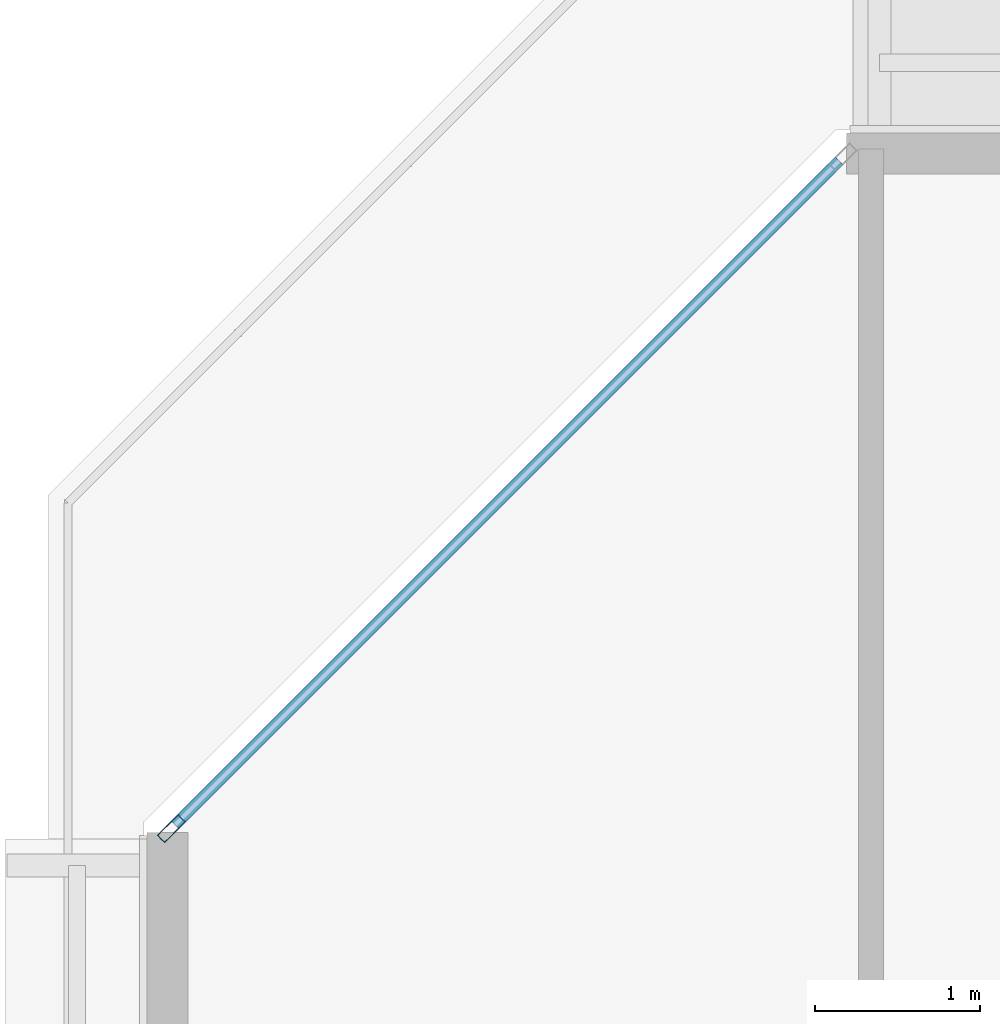
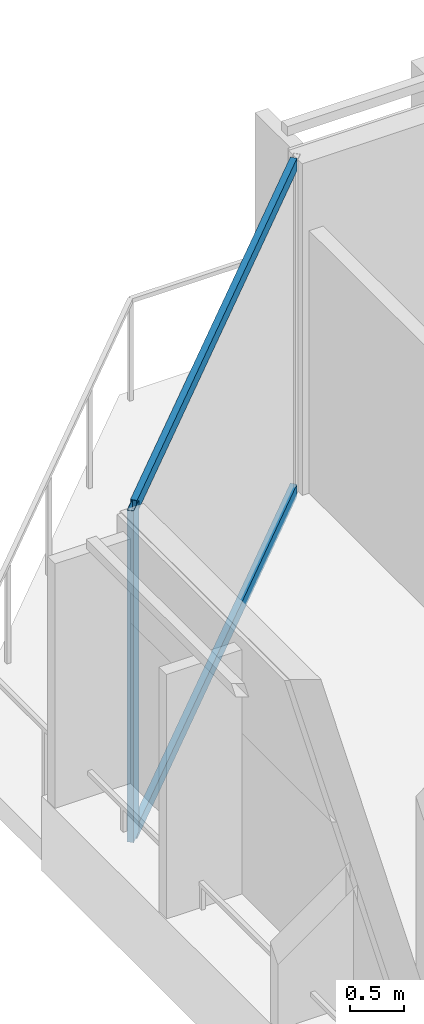
# One storey, part 10 of 38: 3 members, 1 element without a shape of its own.
"""IFC4 building model written with IfcOpenShell, lengths in metres."""

from ifc_helpers import new_model, si_unit, direction, frame, origin, origin_2d, place, context, subcontext, project, spatial, hollow_rectangle, extrude, material, layer, layer_set, material_profile, profile_set, type_object, element, aggregate, save


model = new_model("IFC4")

# Units and contexts
model_context = context("Model", 3, precision=1e-05, world=origin(), true_north=direction((0.0, 1.0)))
body_context = subcontext(model_context, "Body", "Model", "MODEL_VIEW")
ifc_project = project(units=[si_unit("LENGTHUNIT", "METRE"), si_unit("AREAUNIT", "SQUARE_METRE"), si_unit("VOLUMEUNIT", "CUBIC_METRE"), si_unit("PLANEANGLEUNIT", "RADIAN"), si_unit("MASSUNIT", "GRAM", prefix="KILO")], contexts=[model_context])

# Site, building, storey
site_placement = place(None, origin())
site = spatial("IfcSite", under=ifc_project, at=site_placement, CompositionType="ELEMENT")
building_placement = place(site_placement, origin())
building = spatial("IfcBuilding", under=site, at=building_placement, Name="Tanjung Sevakor Pilgrim Tower", CompositionType="ELEMENT")
storey_placement = place(building_placement, frame((0.0, 0.0, 78.2099609375)))
storey = spatial("IfcBuildingStorey", under=building, at=storey_placement, Name="L21", CompositionType="ELEMENT", Elevation=78.2099609375)

# Curtain wall, members
ifc_material_1 = material(Name="Aluminium 6063-T6 and Low-E Glass", Category="aluminium")
ifc_layer = layer(ifc_material_1, 0.179931640625)
ifc_layer_set = layer_set([ifc_layer], Name="CW-SYS-CHAM")
curtain_wall_type = type_object("IfcCurtainWallType", Name="CW-SYS-CHAM", PredefinedType="NOTDEFINED", material=ifc_layer_set)
curtain_wall_placement = place(storey_placement, origin())
curtain_wall = element("IfcCurtainWall", 1, at=curtain_wall_placement, inside=storey, type_object=curtain_wall_type, Name="L21 Curtain Wall CW-CHM-L21-MAIN-13", PredefinedType="NOTDEFINED")
ifc_material_2 = material(Name="Aluminium 6063-T6", Category="aluminium")
ifc_material_profile_1 = material_profile(ifc_material_2, hollow_rectangle(XDim=0.06494140625, YDim=0.179931640625, WallThickness=0.00390625, at=origin_2d()))
ifc_profile_set_1 = profile_set([ifc_material_profile_1], Name="Aluminium 6063-T6")
member_type_1 = type_object("IfcMemberType", Name="TYPE-CWM-1", PredefinedType="MULLION", material=ifc_profile_set_1)
member_1_placement = place(storey_placement, frame((17.347900390625, 53.37109375, 0.0), z_axis=(0.0, 0.0, 1.0), x_axis=(0.707106781187, -0.707106781187, 0.0)))
member_1 = element("IfcMember", 2, at=member_1_placement, type_object=member_type_1, Name="CW-CHM mullion 2", PredefinedType="MULLION", context=body_context, shape_type="SweptSolid", body=[
    extrude(hollow_rectangle(XDim=0.06494140625, YDim=0.179931640625, WallThickness=0.00390625, at=origin_2d()), origin(), (0.0, 0.0, 1.0), 3.739990234375),
])
ifc_material_3 = material(Name="Aluminium 6063-T6", Category="aluminium")
ifc_material_profile_2 = material_profile(ifc_material_3, hollow_rectangle(XDim=0.06494140625, YDim=0.139892578125, WallThickness=0.00390625, at=origin_2d()))
ifc_profile_set_2 = profile_set([ifc_material_profile_2], Name="Aluminium 6063-T6")
member_type_2 = type_object("IfcMemberType", Name="TYPE-CWT-1", PredefinedType="USERDEFINED", material=ifc_profile_set_2)
member_2_placement = place(storey_placement, frame((21.40576171875, 57.428955078125, 0.032470703125), z_axis=(-0.707106781187, -0.707106781187, 0.0), x_axis=(0.707106781187, -0.707106781187, 0.0)))
member_2 = element("IfcMember", 3, at=member_2_placement, type_object=member_type_2, Name="CW-CHM transom 1.1", ObjectType="TRANSOM", PredefinedType="USERDEFINED", context=body_context, shape_type="SweptSolid", body=[
    extrude(hollow_rectangle(XDim=0.06494140625, YDim=0.139892578125, WallThickness=0.00390625, at=origin_2d()), origin(), (0.0, 0.0, 1.0), 5.706298828125),
])
member_3_placement = place(storey_placement, frame((21.40576171875, 57.428955078125, 3.70751953125), z_axis=(-0.707106781187, -0.707106781187, 0.0), x_axis=(0.707106781187, -0.707106781187, 0.0)))
member_3 = element("IfcMember", 4, at=member_3_placement, type_object=member_type_2, Name="CW-CHM transom 1.2", ObjectType="TRANSOM", PredefinedType="USERDEFINED", context=body_context, shape_type="SweptSolid", body=[
    extrude(hollow_rectangle(XDim=0.06494140625, YDim=0.139892578125, WallThickness=0.00390625, at=origin_2d()), origin(), (0.0, 0.0, 1.0), 5.706298828125),
])
aggregate(curtain_wall, [member_1, member_2, member_3])

save(model, "model.ifc")
